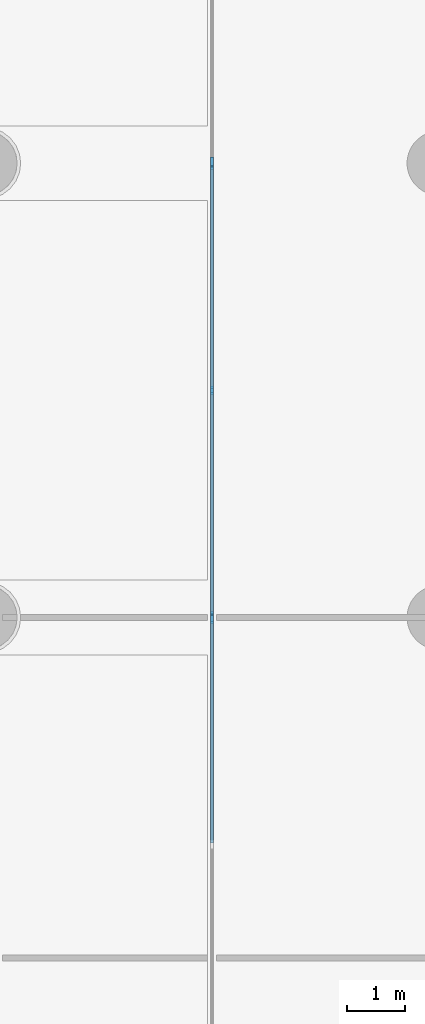
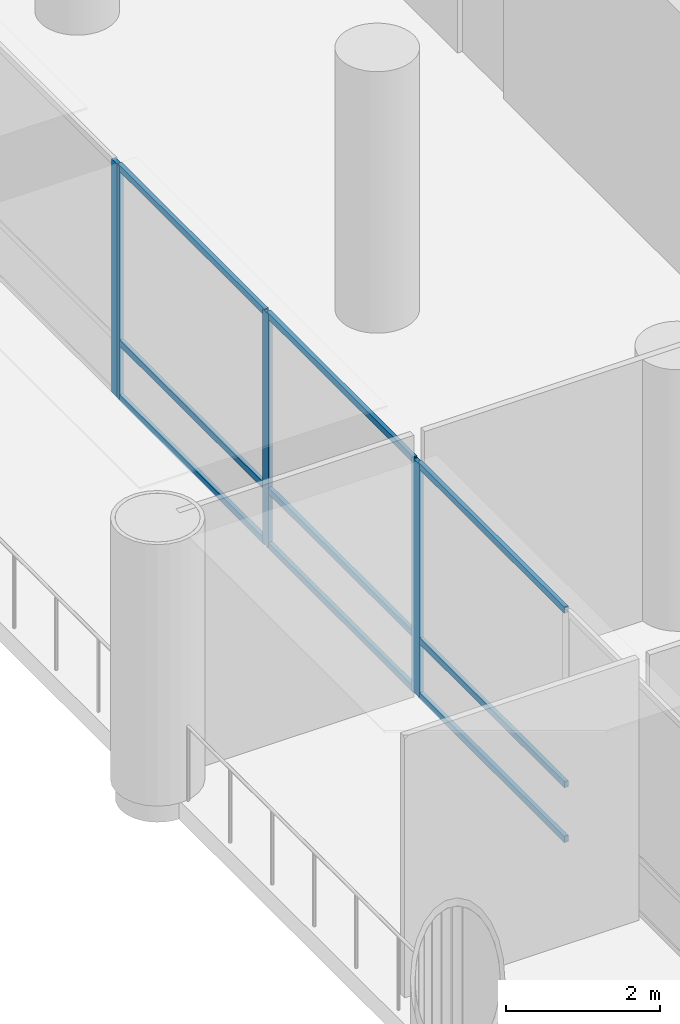
# One storey, part 3 of 23: 14 members, 3 elements without a shape of their own.
"""IFC4 building model written with IfcOpenShell, lengths in metres."""

from ifc_helpers import new_model, si_unit, direction, frame, origin, origin_2d, place, context, subcontext, project, spatial, rectangle, extrude, material, material_profile, profile_set, type_object, element, aggregate, save


model = new_model("IFC4")

# Units and contexts
model_context = context("Model", 3, precision=1e-05, world=origin(), true_north=direction((0.0, 1.0)))
body_context = subcontext(model_context, "Body", "Model", "MODEL_VIEW")
ifc_project = project(units=[si_unit("LENGTHUNIT", "METRE"), si_unit("AREAUNIT", "SQUARE_METRE"), si_unit("VOLUMEUNIT", "CUBIC_METRE"), si_unit("PLANEANGLEUNIT", "RADIAN"), si_unit("MASSUNIT", "GRAM", prefix="KILO")], contexts=[model_context])

# Site, building, storey
site_placement = place(None, origin())
site = spatial("IfcSite", under=ifc_project, at=site_placement, CompositionType="ELEMENT")
building_placement = place(site_placement, origin())
building = spatial("IfcBuilding", under=site, at=building_placement, Name="Ludao Terraces", CompositionType="ELEMENT")
storey_placement = place(building_placement, frame((0.0, 0.0, 10.5)))
storey = spatial("IfcBuildingStorey", under=building, at=storey_placement, Name="L02", CompositionType="ELEMENT", Elevation=10.5)

# Curtain wall, member
ifc_material_1 = material(Name="Aluminium curtain wall with fritted glass", Category="aluminium")
curtain_wall_type = type_object("IfcCurtainWallType", Name="ENV CW1 podium glazing", PredefinedType="NOTDEFINED", material=ifc_material_1)
curtain_wall_1_placement = place(storey_placement, origin())
curtain_wall_1 = element("IfcCurtainWall", 1, at=curtain_wall_1_placement, inside=storey, type_object=curtain_wall_type, Name="CW-L02-W3", PredefinedType="NOTDEFINED")
ifc_material_2 = material(Name="Aluminium 6063-T6", Category="aluminium")
ifc_material_profile_1 = material_profile(ifc_material_2, rectangle(XDim=0.06005859375, YDim=0.14990234375, at=origin_2d()), Name="60 X 150")
ifc_profile_set_1 = profile_set([ifc_material_profile_1], Name="Aluminium 6063-T6")
member_type_1 = type_object("IfcMemberType", Name="ENV CW1 mullion 60x150", PredefinedType="MULLION", material=ifc_profile_set_1)
member_1_placement = place(storey_placement, frame((49.89990234375, 49.3701171875, 0.0), z_axis=(0.0, 0.0, 1.0), x_axis=(-1.0, 0.0, 0.0)))
member_1 = element("IfcMember", 2, at=member_1_placement, type_object=member_type_1, Name="CW1 mullion 3", PredefinedType="MULLION", context=body_context, shape_type="SweptSolid", body=[
    extrude(rectangle(XDim=0.06005859375, YDim=0.14990234375, at=origin_2d()), origin(), (0.0, 0.0, 1.0), 3.699951171875),
])

# Curtain wall, members
curtain_wall_2_placement = place(storey_placement, origin())
curtain_wall_2 = element("IfcCurtainWall", 3, at=curtain_wall_2_placement, inside=storey, type_object=curtain_wall_type, Name="CW-L02-W4", PredefinedType="NOTDEFINED")
member_2_placement = place(storey_placement, frame((49.89990234375, 49.429931640625, 0.0), z_axis=(0.0, 0.0, 1.0), x_axis=(-1.0, 0.0, 0.0)))
member_2 = element("IfcMember", 4, at=member_2_placement, type_object=member_type_1, Name="CW1 mullion 1", PredefinedType="MULLION", context=body_context, shape_type="SweptSolid", body=[
    extrude(rectangle(XDim=0.06005859375, YDim=0.14990234375, at=origin_2d()), origin(), (0.0, 0.0, 1.0), 3.699951171875),
])
member_3_placement = place(storey_placement, frame((49.89990234375, 53.300048828125, 0.0), z_axis=(0.0, 0.0, 1.0), x_axis=(-1.0, 0.0, 0.0)))
member_3 = element("IfcMember", 5, at=member_3_placement, type_object=member_type_1, Name="CW1 mullion 2", PredefinedType="MULLION", context=body_context, shape_type="SweptSolid", body=[
    extrude(rectangle(XDim=0.06005859375, YDim=0.14990234375, at=origin_2d()), origin(), (0.0, 0.0, 1.0), 3.699951171875),
])
member_4_placement = place(storey_placement, frame((49.89990234375, 57.169921875, 0.0), z_axis=(0.0, 0.0, 1.0), x_axis=(-1.0, 0.0, 0.0)))
member_4 = element("IfcMember", 6, at=member_4_placement, type_object=member_type_1, Name="CW1 mullion 3", PredefinedType="MULLION", context=body_context, shape_type="SweptSolid", body=[
    extrude(rectangle(XDim=0.06005859375, YDim=0.14990234375, at=origin_2d()), origin(), (0.0, 0.0, 1.0), 3.699951171875),
])

# Curtain wall, member
curtain_wall_3_placement = place(storey_placement, origin())
curtain_wall_3 = element("IfcCurtainWall", 7, at=curtain_wall_3_placement, inside=storey, type_object=curtain_wall_type, Name="CW-L02-W5", PredefinedType="NOTDEFINED")
member_5_placement = place(storey_placement, frame((49.89990234375, 57.22998046875, 0.0), z_axis=(0.0, 0.0, 1.0), x_axis=(-1.0, 0.0, 0.0)))
member_5 = element("IfcMember", 8, at=member_5_placement, type_object=member_type_1, Name="CW1 mullion 1", PredefinedType="MULLION", context=body_context, shape_type="SweptSolid", body=[
    extrude(rectangle(XDim=0.06005859375, YDim=0.14990234375, at=origin_2d()), origin(), (0.0, 0.0, 1.0), 3.699951171875),
])
aggregate(curtain_wall_3, [member_5])

# Member
ifc_material_profile_2 = material_profile(ifc_material_2, rectangle(XDim=0.06005859375, YDim=0.10009765625, at=origin_2d()), Name="60 X 100")
ifc_profile_set_2 = profile_set([ifc_material_profile_2], Name="Aluminium 6063-T6")
member_type_2 = type_object("IfcMemberType", Name="ENV CW1 transom 60x100", PredefinedType="USERDEFINED", material=ifc_profile_set_2)
member_6_placement = place(storey_placement, frame((49.89990234375, 45.530029296875, 0.030029296875), z_axis=(0.0, 1.0, 0.0), x_axis=(-1.0, 0.0, 0.0)))
member_6 = element("IfcMember", 9, at=member_6_placement, type_object=member_type_2, Name="CW1 transom 2.1", ObjectType="TRANSOM", PredefinedType="USERDEFINED", context=body_context, shape_type="SweptSolid", body=[
    extrude(rectangle(XDim=0.06005859375, YDim=0.10009765625, at=origin_2d()), origin(), (0.0, 0.0, 1.0), 3.81005859375),
])

member_7_placement = place(storey_placement, frame((49.89990234375, 45.530029296875, 0.89990234375), z_axis=(0.0, 1.0, 0.0), x_axis=(-1.0, 0.0, 0.0)))
member_7 = element("IfcMember", 10, at=member_7_placement, type_object=member_type_2, Name="CW1 transom 2.2", ObjectType="TRANSOM", PredefinedType="USERDEFINED", context=body_context, shape_type="SweptSolid", body=[
    extrude(rectangle(XDim=0.06005859375, YDim=0.10009765625, at=origin_2d()), origin(), (0.0, 0.0, 1.0), 3.81005859375),
])

member_8_placement = place(storey_placement, frame((49.89990234375, 45.530029296875, 3.669921875), z_axis=(0.0, 1.0, 0.0), x_axis=(-1.0, 0.0, 0.0)))
member_8 = element("IfcMember", 11, at=member_8_placement, type_object=member_type_2, Name="CW1 transom 2.3", ObjectType="TRANSOM", PredefinedType="USERDEFINED", context=body_context, shape_type="SweptSolid", body=[
    extrude(rectangle(XDim=0.06005859375, YDim=0.10009765625, at=origin_2d()), origin(), (0.0, 0.0, 1.0), 3.81005859375),
])

aggregate(curtain_wall_1, [member_1, member_6, member_7, member_8])

member_9_placement = place(storey_placement, frame((49.89990234375, 49.4599609375, 0.030029296875), z_axis=(0.0, 1.0, 0.0), x_axis=(-1.0, 0.0, 0.0)))
member_9 = element("IfcMember", 12, at=member_9_placement, type_object=member_type_2, Name="CW1 transom 1.1", ObjectType="TRANSOM", PredefinedType="USERDEFINED", context=body_context, shape_type="SweptSolid", body=[
    extrude(rectangle(XDim=0.06005859375, YDim=0.10009765625, at=origin_2d()), origin(), (0.0, 0.0, 1.0), 3.81005859375),
])

member_10_placement = place(storey_placement, frame((49.89990234375, 49.4599609375, 0.89990234375), z_axis=(0.0, 1.0, 0.0), x_axis=(-1.0, 0.0, 0.0)))
member_10 = element("IfcMember", 13, at=member_10_placement, type_object=member_type_2, Name="CW1 transom 1.2", ObjectType="TRANSOM", PredefinedType="USERDEFINED", context=body_context, shape_type="SweptSolid", body=[
    extrude(rectangle(XDim=0.06005859375, YDim=0.10009765625, at=origin_2d()), origin(), (0.0, 0.0, 1.0), 3.81005859375),
])

member_11_placement = place(storey_placement, frame((49.89990234375, 49.4599609375, 3.669921875), z_axis=(0.0, 1.0, 0.0), x_axis=(-1.0, 0.0, 0.0)))
member_11 = element("IfcMember", 14, at=member_11_placement, type_object=member_type_2, Name="CW1 transom 1.3", ObjectType="TRANSOM", PredefinedType="USERDEFINED", context=body_context, shape_type="SweptSolid", body=[
    extrude(rectangle(XDim=0.06005859375, YDim=0.10009765625, at=origin_2d()), origin(), (0.0, 0.0, 1.0), 3.81005859375),
])

member_12_placement = place(storey_placement, frame((49.89990234375, 53.330078125, 0.030029296875), z_axis=(0.0, 1.0, 0.0), x_axis=(-1.0, 0.0, 0.0)))
member_12 = element("IfcMember", 15, at=member_12_placement, type_object=member_type_2, Name="CW1 transom 2.1", ObjectType="TRANSOM", PredefinedType="USERDEFINED", context=body_context, shape_type="SweptSolid", body=[
    extrude(rectangle(XDim=0.06005859375, YDim=0.10009765625, at=origin_2d()), origin(), (0.0, 0.0, 1.0), 3.809814453125),
])

member_13_placement = place(storey_placement, frame((49.89990234375, 53.330078125, 0.89990234375), z_axis=(0.0, 1.0, 0.0), x_axis=(-1.0, 0.0, 0.0)))
member_13 = element("IfcMember", 16, at=member_13_placement, type_object=member_type_2, Name="CW1 transom 2.2", ObjectType="TRANSOM", PredefinedType="USERDEFINED", context=body_context, shape_type="SweptSolid", body=[
    extrude(rectangle(XDim=0.06005859375, YDim=0.10009765625, at=origin_2d()), origin(), (0.0, 0.0, 1.0), 3.809814453125),
])

member_14_placement = place(storey_placement, frame((49.89990234375, 53.330078125, 3.669921875), z_axis=(0.0, 1.0, 0.0), x_axis=(-1.0, 0.0, 0.0)))
member_14 = element("IfcMember", 17, at=member_14_placement, type_object=member_type_2, Name="CW1 transom 2.3", ObjectType="TRANSOM", PredefinedType="USERDEFINED", context=body_context, shape_type="SweptSolid", body=[
    extrude(rectangle(XDim=0.06005859375, YDim=0.10009765625, at=origin_2d()), origin(), (0.0, 0.0, 1.0), 3.809814453125),
])

aggregate(curtain_wall_2, [member_2, member_3, member_4, member_9, member_10, member_11, member_12, member_13, member_14])

save(model, "model.ifc")
